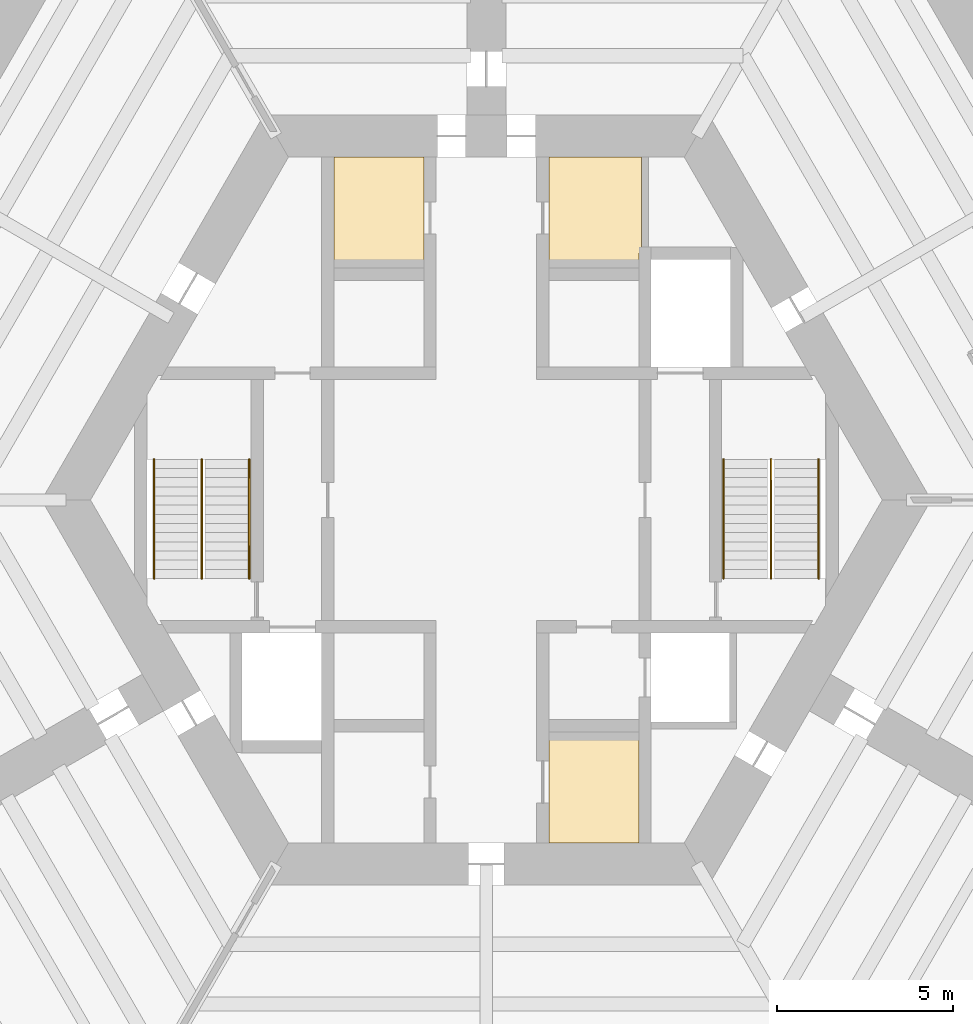
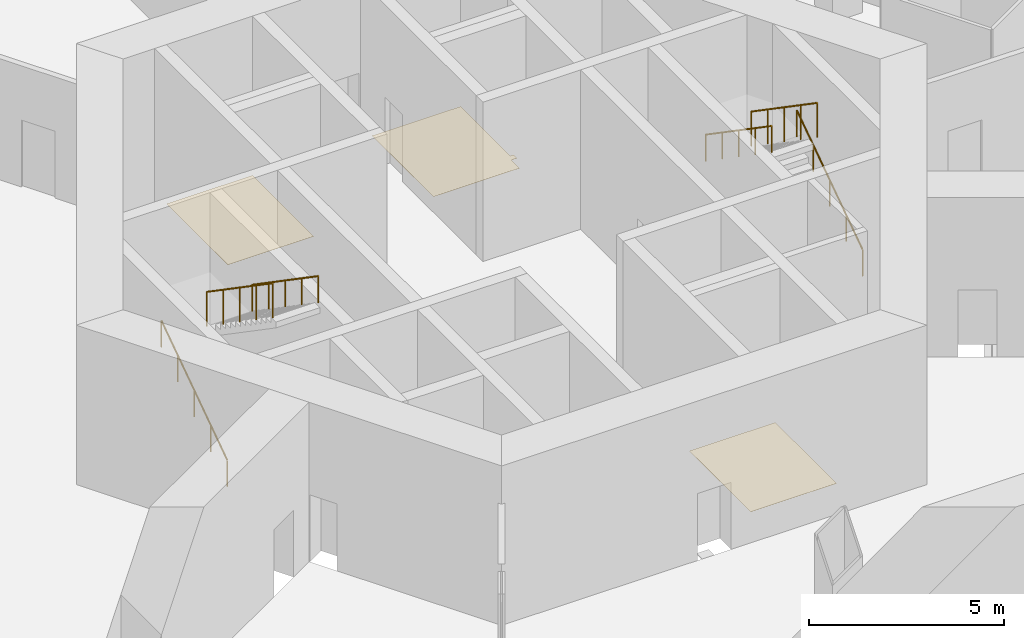
# One storey, part 7 of 7: 6 railings, 3 coverings.
"""IFC4 building model written with IfcOpenShell, lengths in metres."""

from ifc_helpers import new_model, si_unit, direction, frame, origin, origin_2d, place, context, subcontext, project, spatial, polyline, circle, outline, extrude, material, layer, layer_set, type_object, element, save


model = new_model("IFC4")

# Units and contexts
model_context = context("Model", 3, precision=1e-05, world=origin(), true_north=direction((0.0, 1.0)))
body_context = subcontext(model_context, "Body", "Model", "MODEL_VIEW")
ifc_project = project(units=[si_unit("LENGTHUNIT", "METRE"), si_unit("AREAUNIT", "SQUARE_METRE"), si_unit("VOLUMEUNIT", "CUBIC_METRE"), si_unit("PLANEANGLEUNIT", "RADIAN"), si_unit("MASSUNIT", "GRAM", prefix="KILO")], contexts=[model_context])

# Site, building, storey
site_placement = place(None, origin())
site = spatial("IfcSite", under=ifc_project, at=site_placement, CompositionType="ELEMENT")
building_placement = place(site_placement, origin())
building = spatial("IfcBuilding", under=site, at=building_placement, Name="Kasaneha Research Tower", CompositionType="ELEMENT")
storey_placement = place(building_placement, frame((0.0, 0.0, -5.0)))
storey = spatial("IfcBuildingStorey", under=building, at=storey_placement, Name="B1", CompositionType="ELEMENT", Elevation=-5.0)

# Railings
ifc_material_1 = material(Name="Steel", Category="steel")
railing_type_1 = type_object("IfcRailingType", Name="Stair balustrade 1100", PredefinedType="GUARDRAIL", material=ifc_material_1)
for number, where, name in (
    (1, (8.074951171875, 1.155029296875, 2.678466796875), "Stair 1 balustrade B1"),
    (2, (-8.074951171875, 1.155029296875, 2.678466796875), "Stair 2 balustrade B1"),
):
    element("IfcRailing", number, at=place(storey_placement, frame(where)), inside=storey, type_object=railing_type_1, Name=name, PredefinedType="GUARDRAIL", context=body_context, shape_type="SweptSolid", body=[
        extrude(circle(Radius=0.02392578125, at=origin_2d()), frame((0.0, 0.0, 1.076171875), z_axis=(0.0, -0.824304150675, 0.566147213346), x_axis=(1.0, 0.0, 0.0)), (0.0, 0.0, 1.0), 4.1005859375),
        extrude(circle(Radius=0.02099609375, at=origin_2d()), origin(), (0.0, 0.0, 1.0), 1.052001953125),
        extrude(circle(Radius=0.02099609375, at=origin_2d()), frame((0.0, -0.844970703125, 0.580322265625)), (0.0, 0.0, 1.0), 1.052001953125),
        extrude(circle(Radius=0.02099609375, at=origin_2d()), frame((0.0, -1.68994140625, 1.16064453125)), (0.0, 0.0, 1.0), 1.052001953125),
        extrude(circle(Radius=0.02099609375, at=origin_2d()), frame((0.0, -2.53515625, 1.7412109375)), (0.0, 0.0, 1.0), 1.052001953125),
        extrude(circle(Radius=0.02099609375, at=origin_2d()), frame((0.0, -3.380126953125, 2.321533203125)), (0.0, 0.0, 1.0), 1.052001953125),
    ])
ifc_material_2 = material(Name="Steel", Category="steel")
railing_type_2 = type_object("IfcRailingType", Name="Stair handrail 850", PredefinedType="HANDRAIL", material=ifc_material_2)
railing_1_placement = place(storey_placement, frame((9.425048828125, -2.22509765625, 0.178466796875)))
element("IfcRailing", 3, at=railing_1_placement, inside=storey, type_object=railing_type_2, Name="Stair 1 handrail B1", PredefinedType="HANDRAIL", context=body_context, shape_type="SweptSolid", body=[
    extrude(circle(Radius=0.02392578125, at=origin_2d()), frame((0.0, 0.0, 0.826171875), z_axis=(0.0, 0.824304150675, 0.566147213346), x_axis=(-1.0, 0.0, 0.0)), (0.0, 0.0, 1.0), 4.1005859375),
    extrude(circle(Radius=0.02099609375, at=origin_2d()), origin(), (0.0, 0.0, 1.0), 0.802001953125),
    extrude(circle(Radius=0.02099609375, at=origin_2d()), frame((0.0, 0.844970703125, 0.580322265625)), (0.0, 0.0, 1.0), 0.802001953125),
    extrude(circle(Radius=0.02099609375, at=origin_2d()), frame((0.0, 1.68994140625, 1.16064453125)), (0.0, 0.0, 1.0), 0.802001953125),
    extrude(circle(Radius=0.02099609375, at=origin_2d()), frame((0.0, 2.53515625, 1.7412109375)), (0.0, 0.0, 1.0), 0.802001953125),
    extrude(circle(Radius=0.02099609375, at=origin_2d()), frame((0.0, 3.380126953125, 2.321533203125)), (0.0, 0.0, 1.0), 0.802001953125),
])
railing_2_placement = place(storey_placement, frame((6.72509765625, 1.155029296875, 2.678466796875)))
element("IfcRailing", 4, at=railing_2_placement, inside=storey, type_object=railing_type_2, Name="Stair 1 handrail B1", PredefinedType="HANDRAIL", context=body_context, shape_type="SweptSolid", body=[
    extrude(circle(Radius=0.02392578125, at=origin_2d()), frame((0.0, 0.0, 0.826171875), z_axis=(0.0, -0.824304150675, 0.566147213346), x_axis=(1.0, 0.0, 0.0)), (0.0, 0.0, 1.0), 4.1005859375),
    extrude(circle(Radius=0.02099609375, at=origin_2d()), origin(), (0.0, 0.0, 1.0), 0.802001953125),
    extrude(circle(Radius=0.02099609375, at=origin_2d()), frame((0.0, -0.844970703125, 0.580322265625)), (0.0, 0.0, 1.0), 0.802001953125),
    extrude(circle(Radius=0.02099609375, at=origin_2d()), frame((0.0, -1.68994140625, 1.16064453125)), (0.0, 0.0, 1.0), 0.802001953125),
    extrude(circle(Radius=0.02099609375, at=origin_2d()), frame((0.0, -2.53515625, 1.7412109375)), (0.0, 0.0, 1.0), 0.802001953125),
    extrude(circle(Radius=0.02099609375, at=origin_2d()), frame((0.0, -3.380126953125, 2.321533203125)), (0.0, 0.0, 1.0), 0.802001953125),
])
railing_3_placement = place(storey_placement, frame((-9.425048828125, -2.22509765625, 0.178466796875)))
element("IfcRailing", 5, at=railing_3_placement, inside=storey, type_object=railing_type_2, Name="Stair 2 handrail B1", PredefinedType="HANDRAIL", context=body_context, shape_type="SweptSolid", body=[
    extrude(circle(Radius=0.02392578125, at=origin_2d()), frame((0.0, 0.0, 0.826171875), z_axis=(0.0, 0.824304150675, 0.566147213346), x_axis=(-1.0, 0.0, 0.0)), (0.0, 0.0, 1.0), 4.1005859375),
    extrude(circle(Radius=0.02099609375, at=origin_2d()), origin(), (0.0, 0.0, 1.0), 0.802001953125),
    extrude(circle(Radius=0.02099609375, at=origin_2d()), frame((0.0, 0.844970703125, 0.580322265625)), (0.0, 0.0, 1.0), 0.802001953125),
    extrude(circle(Radius=0.02099609375, at=origin_2d()), frame((0.0, 1.68994140625, 1.16064453125)), (0.0, 0.0, 1.0), 0.802001953125),
    extrude(circle(Radius=0.02099609375, at=origin_2d()), frame((0.0, 2.53515625, 1.7412109375)), (0.0, 0.0, 1.0), 0.802001953125),
    extrude(circle(Radius=0.02099609375, at=origin_2d()), frame((0.0, 3.380126953125, 2.321533203125)), (0.0, 0.0, 1.0), 0.802001953125),
])
railing_4_placement = place(storey_placement, frame((-6.72509765625, 1.155029296875, 2.678466796875)))
element("IfcRailing", 6, at=railing_4_placement, inside=storey, type_object=railing_type_2, Name="Stair 2 handrail B1", PredefinedType="HANDRAIL", context=body_context, shape_type="SweptSolid", body=[
    extrude(circle(Radius=0.02392578125, at=origin_2d()), frame((0.0, 0.0, 0.826171875), z_axis=(0.0, -0.824304150675, 0.566147213346), x_axis=(1.0, 0.0, 0.0)), (0.0, 0.0, 1.0), 4.1005859375),
    extrude(circle(Radius=0.02099609375, at=origin_2d()), origin(), (0.0, 0.0, 1.0), 0.802001953125),
    extrude(circle(Radius=0.02099609375, at=origin_2d()), frame((0.0, -0.844970703125, 0.580322265625)), (0.0, 0.0, 1.0), 0.802001953125),
    extrude(circle(Radius=0.02099609375, at=origin_2d()), frame((0.0, -1.68994140625, 1.16064453125)), (0.0, 0.0, 1.0), 0.802001953125),
    extrude(circle(Radius=0.02099609375, at=origin_2d()), frame((0.0, -2.53515625, 1.7412109375)), (0.0, 0.0, 1.0), 0.802001953125),
    extrude(circle(Radius=0.02099609375, at=origin_2d()), frame((0.0, -3.380126953125, 2.321533203125)), (0.0, 0.0, 1.0), 0.802001953125),
])

# Coverings
ifc_material_3 = material(Name="Vinyl sheet flooring", Category="plastic")
ifc_layer = layer(ifc_material_3, 0.0048828125)
ifc_layer_set = layer_set([ifc_layer], Name="Wet room sheet flooring 5")
covering_type = type_object("IfcCoveringType", Name="Wet room sheet flooring 5", PredefinedType="FLOORING", material=ifc_layer_set)
covering_1_placement = place(storey_placement, origin())
element("IfcCovering", 7, at=covering_1_placement, inside=storey, type_object=covering_type, Name="Floor finish B1-06", PredefinedType="FLOORING", context=body_context, shape_type="SweptSolid", body=[
    extrude(outline(polyline([(-1.77490234375, 9.72509765625), (-1.77490234375, 6.574951171875), (-4.324951171875, 6.574951171875), (-4.324951171875, 9.72509765625), (-1.77490234375, 9.72509765625)])), origin(), (0.0, 0.0, 1.0), 0.0048828125),
])
covering_2_placement = place(storey_placement, origin())
element("IfcCovering", 8, at=covering_2_placement, inside=storey, type_object=covering_type, Name="Floor finish B1-07", PredefinedType="FLOORING", context=body_context, shape_type="SweptSolid", body=[
    extrude(outline(polyline([(4.39892578125, 9.72509765625), (4.39892578125, 7.175048828125), (4.39892578125, 7.1748046875), (4.39892578125, 7.1748046875), (4.39892578125, 7.1748046875), (4.399169921875, 7.174560546875), (4.399169921875, 7.174560546875), (4.399169921875, 7.174560546875), (4.399169921875, 7.17431640625), (4.399169921875, 7.17431640625), (4.3994140625, 7.17431640625), (4.3994140625, 7.174072265625), (4.3994140625, 7.174072265625), (4.399658203125, 7.174072265625), (4.399658203125, 7.174072265625), (4.39990234375, 7.174072265625), (4.39990234375, 7.174072265625), (4.39990234375, 7.174072265625), (4.5, 7.174072265625), (4.5, 7.0), (4.324951171875, 7.0), (4.324951171875, 6.574951171875), (1.77490234375, 6.574951171875), (1.77490234375, 9.72509765625), (4.39892578125, 9.72509765625)])), origin(), (0.0, 0.0, 1.0), 0.0048828125),
])
covering_3_placement = place(storey_placement, origin())
element("IfcCovering", 9, at=covering_3_placement, inside=storey, type_object=covering_type, Name="Floor finish B1-09", PredefinedType="FLOORING", context=body_context, shape_type="SweptSolid", body=[
    extrude(outline(polyline([(1.77490234375, -9.72509765625), (1.77490234375, -6.574951171875), (4.324951171875, -6.574951171875), (4.324951171875, -9.72509765625), (1.77490234375, -9.72509765625)])), origin(), (0.0, 0.0, 1.0), 0.0048828125),
])

save(model, "model.ifc")
